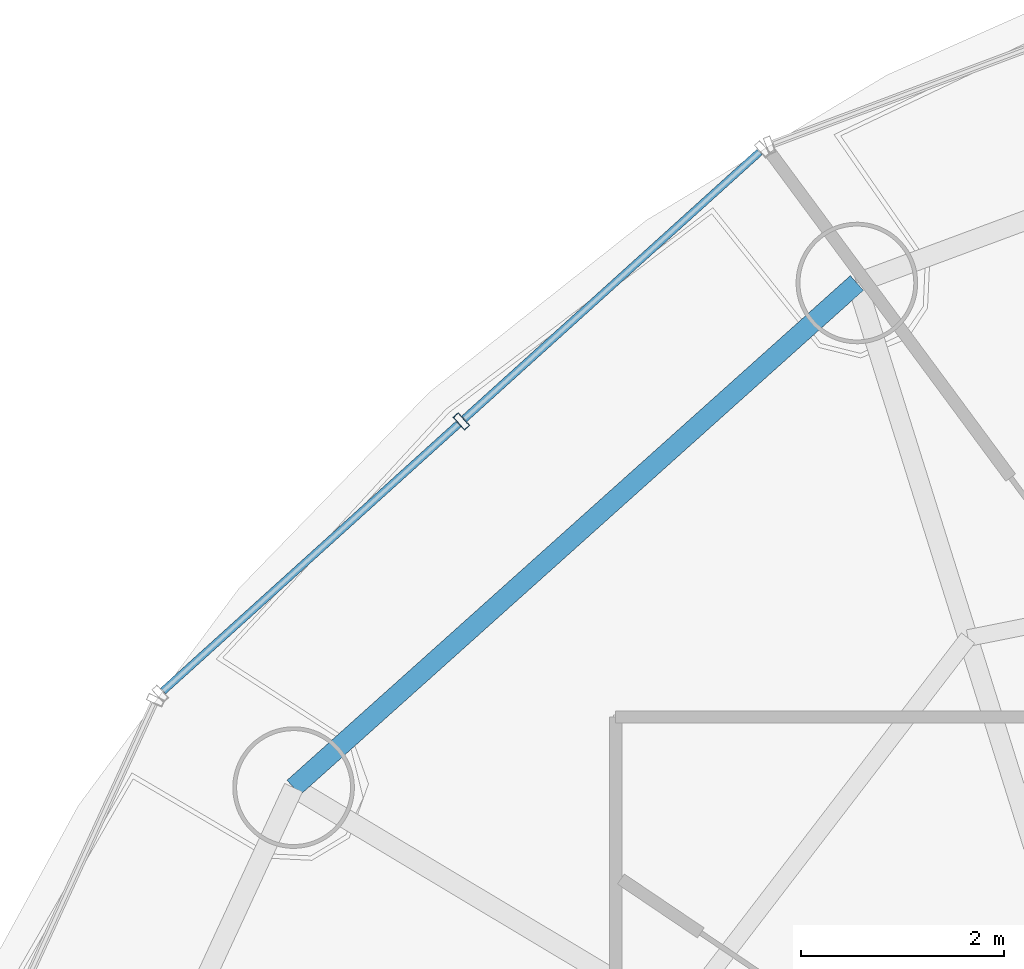
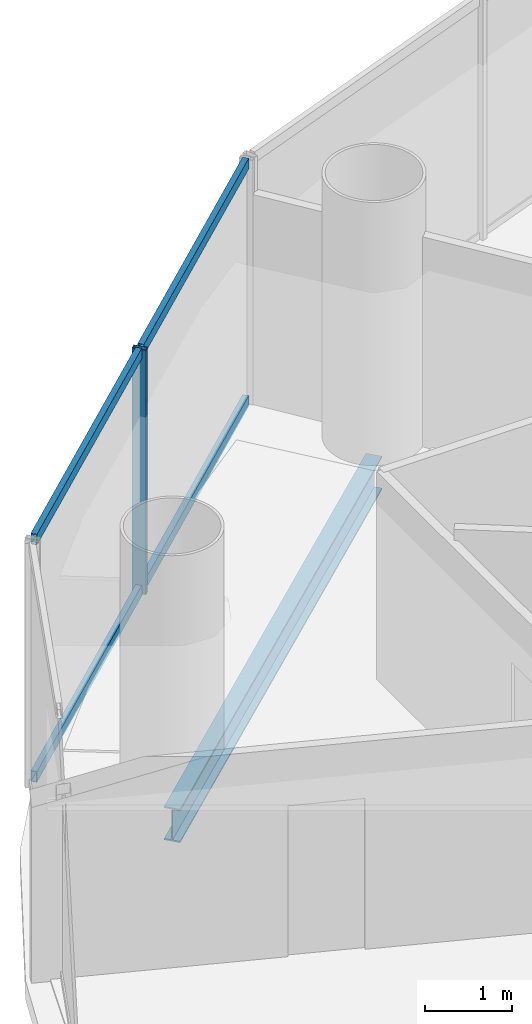
# One storey, part 14 of 26: 5 members, 1 beam, 1 element without a shape of its own.
"""IFC4 building model written with IfcOpenShell, lengths in metres."""

import ifcopenshell
import ifcopenshell.guid

model = None  # the IFC model being written
_history = None  # IfcOwnerHistory: only IFC2X3 demands one
_inside = {}  # id of a spatial element -> (the spatial element, [elements in it])
_under = {}  # id of a project, library or spatial element -> (it, [spatial elements below it])
_declared = {}  # id of a project -> (the project, [libraries it declares])
_typed = {}  # id of a type object -> (the type object, [elements of that type])
_made_of = {}  # id of a material, layer set ... -> (it, [elements and type objects made of it])


def new_model(schema):
    """Start an empty IFC model of exactly this schema.

    Asked for "IFC4X3", IfcOpenShell would pick the latest addendum, in which some entities
    have other attributes; the version numbers below select the first issue.
    IFC2X3 requires an IfcOwnerHistory on every rooted entity: one is made here for all.
    """
    global model, _history
    if schema == "IFC4X3":
        model = ifcopenshell.file(schema_version=(4, 3, 0, 0))
    else:
        model = ifcopenshell.file(schema=schema)
    _inside.clear()
    _under.clear()
    _declared.clear()
    _typed.clear()
    _made_of.clear()
    _history = None
    if model.schema == "IFC2X3":
        org = make("IfcOrganization", Name="unknown")
        user = make(
            "IfcPersonAndOrganization",
            ThePerson=make("IfcPerson", FamilyName="unknown"),
            TheOrganization=org,
        )
        app = make(
            "IfcApplication",
            ApplicationDeveloper=org,
            Version="unknown",
            ApplicationFullName="unknown",
            ApplicationIdentifier="unknown",
        )
        _history = make(
            "IfcOwnerHistory",
            OwningUser=user,
            OwningApplication=app,
            ChangeAction="ADDED",
            CreationDate=0,
        )
    return model


def make(cls, **values):
    """One entity of the class cls with the attributes given. An attribute that is None is left unset."""
    return model.create_entity(
        cls, **{name: value for name, value in values.items() if value is not None}
    )


def rooted(cls, **values):
    """An entity with a GlobalId (a new one), such as an element, a storey or a relation."""
    return make(cls, GlobalId=ifcopenshell.guid.new(), OwnerHistory=_history, **values)


def si_unit(unit_type, name, prefix=None):
    """IfcSIUnit, for example si_unit("LENGTHUNIT", "METRE", prefix="MILLI")."""
    return make("IfcSIUnit", UnitType=unit_type, Prefix=prefix, Name=name)


def assignment(units):
    """IfcUnitAssignment: the units of a project."""
    return None if units is None else make("IfcUnitAssignment", Units=units)


def point(xyz):
    """IfcCartesianPoint."""
    return None if xyz is None else make("IfcCartesianPoint", Coordinates=xyz)


def direction(xyz):
    """IfcDirection."""
    return None if xyz is None else make("IfcDirection", DirectionRatios=xyz)


def frame(location, z_axis=None, x_axis=None):
    """IfcAxis2Placement3D, a coordinate frame: its origin and axes. An axis left out is left unset."""
    return make(
        "IfcAxis2Placement3D",
        Location=point(location),
        Axis=direction(z_axis),
        RefDirection=direction(x_axis),
    )


def frame_2d(location, x_axis=None):
    """IfcAxis2Placement2D, a coordinate frame in the plane: its origin and x axis."""
    return make(
        "IfcAxis2Placement2D", Location=point(location), RefDirection=direction(x_axis)
    )


def origin():
    """The frame at (0, 0, 0) with its axes left unset."""
    return frame((0.0, 0.0, 0.0))


def origin_2d():
    """The frame at (0, 0) in the plane with its x axis left unset."""
    return frame_2d((0.0, 0.0))


def place(relative_to, where):
    """IfcLocalPlacement: puts the frame where relative to a parent placement (None: the world)."""
    return make(
        "IfcLocalPlacement", PlacementRelTo=relative_to, RelativePlacement=where
    )


def context(
    kind, dimensions, precision=None, world=None, true_north=None, identifier=None
):
    """IfcGeometricRepresentationContext, for example the 3D "Model" context."""
    return make(
        "IfcGeometricRepresentationContext",
        ContextIdentifier=identifier,
        ContextType=kind,
        CoordinateSpaceDimension=dimensions,
        Precision=precision,
        WorldCoordinateSystem=world,
        TrueNorth=true_north,
    )


def subcontext(parent, identifier, kind, view, scale=None):
    """IfcGeometricRepresentationSubContext, for example "Body" below "Model"."""
    return make(
        "IfcGeometricRepresentationSubContext",
        ContextIdentifier=identifier,
        ContextType=kind,
        ParentContext=parent,
        TargetScale=scale,
        TargetView=view,
    )


def project(units=None, contexts=None):
    """IfcProject with its units and contexts."""
    return rooted(
        "IfcProject",
        Name="project",
        RepresentationContexts=contexts,
        UnitsInContext=assignment(units),
    )


def spatial(cls, under=None, at=None, **own):
    """A site, building, storey or space (cls), placed at a placement, below another one or the project."""
    s = rooted(cls, ObjectPlacement=at, **own)
    if under is not None:
        _under.setdefault(under.id(), (under, []))[1].append(s)
    return s


def profile(cls, at=None, kind="AREA", **sizes):
    """A parametric profile (cls). Its sizes go by their IFC names, for example OverallWidth=200.0."""
    return make(cls, ProfileType=kind, Position=at, **sizes)


def hollow_rectangle(**sizes):
    """IfcRectangleHollowProfileDef."""
    return profile("IfcRectangleHollowProfileDef", **sizes)


def i_section(**sizes):
    """IfcIShapeProfileDef."""
    return profile("IfcIShapeProfileDef", **sizes)


def extrude(swept, where, along, depth):
    """IfcExtrudedAreaSolid: the profile swept, set in the frame where, extruded along a direction by depth."""
    return make(
        "IfcExtrudedAreaSolid",
        SweptArea=swept,
        Position=where,
        ExtrudedDirection=direction(along),
        Depth=depth,
    )


def shape(context_of_items, identifier, shape_type, items):
    """IfcShapeRepresentation: the items that make up one representation, for example the "Body"."""
    return make(
        "IfcShapeRepresentation",
        ContextOfItems=context_of_items,
        RepresentationIdentifier=identifier,
        RepresentationType=shape_type,
        Items=items,
    )


def source(mapping_origin, context_of_items, identifier, shape_type, items):
    """IfcRepresentationMap: a shape defined once, which mapped items show again and again."""
    return make(
        "IfcRepresentationMap",
        MappingOrigin=mapping_origin,
        MappedRepresentation=shape(context_of_items, identifier, shape_type, items),
    )


def transform(
    local_origin,
    x_axis=None,
    y_axis=None,
    z_axis=None,
    scale=None,
    scale2=None,
    scale3=None,
    uniform=True,
):
    """IfcCartesianTransformationOperator3D, or its non-uniform kind. x_axis, y_axis, z_axis: its Axis1, 2, 3."""
    if uniform:
        return make(
            "IfcCartesianTransformationOperator3D",
            Axis1=direction(x_axis),
            Axis2=direction(y_axis),
            LocalOrigin=point(local_origin),
            Scale=scale,
            Axis3=direction(z_axis),
        )
    return make(
        "IfcCartesianTransformationOperator3DnonUniform",
        Axis1=direction(x_axis),
        Axis2=direction(y_axis),
        LocalOrigin=point(local_origin),
        Scale=scale,
        Axis3=direction(z_axis),
        Scale2=scale2,
        Scale3=scale3,
    )


def mapped(mapping_source, mapping_target):
    """IfcMappedItem: shows the shape of a source again, moved by a transform."""
    return make(
        "IfcMappedItem", MappingSource=mapping_source, MappingTarget=mapping_target
    )


def material(Name=None, Category=None):
    """IfcMaterial."""
    return make("IfcMaterial", Name=Name, Category=Category)


def material_profile(
    of_material, cross_section, Name=None, Category=None, Priority=None
):
    """IfcMaterialProfile: a cross section and its material."""
    return make(
        "IfcMaterialProfile",
        Name=Name,
        Material=of_material,
        Profile=cross_section,
        Priority=Priority,
        Category=Category,
    )


def profile_set(profiles, Name=None, composite=None):
    """IfcMaterialProfileSet."""
    return make(
        "IfcMaterialProfileSet",
        Name=Name,
        MaterialProfiles=profiles,
        CompositeProfile=composite,
    )


def made_of(thing, what):
    """Note that an element or type object is made of a material, layer set ...; save() writes the relation."""
    if what is not None:
        _made_of.setdefault(what.id(), (what, []))[1].append(thing)
    return thing


def type_object(cls, material=None, **own):
    """A type object (cls), such as IfcWallType, which elements share."""
    return made_of(rooted(cls, **own), material)


def element(
    cls,
    number,
    at=None,
    inside=None,
    cuts=None,
    type_object=None,
    material=None,
    context=None,
    identifier="Body",
    shape_type=None,
    held_by="IfcProductDefinitionShape",
    body=None,
    shapes=None,
    **own,
):
    """One element of the class cls, such as IfcWall. Its Tag is "e" and its number.

    at: its placement. inside: the storey or other place that contains it. cuts: it is an
    opening in that element (IfcRelVoidsElement). A single representation is given by context,
    identifier, shape_type and body (its items); several are given by shapes. held_by: the class
    of the entity that holds the representations. save() writes the other relations.
    """
    e = rooted(cls, Tag="e%d" % number, ObjectPlacement=at, **own)
    if body is not None:
        shapes = [shape(context, identifier, shape_type, body)]
    if shapes is not None:
        e.Representation = make(held_by, Representations=shapes)
    if inside is not None:
        _inside.setdefault(inside.id(), (inside, []))[1].append(e)
    if cuts is not None:
        rooted(
            "IfcRelVoidsElement", RelatingBuildingElement=cuts, RelatedOpeningElement=e
        )
    if type_object is not None:
        _typed.setdefault(type_object.id(), (type_object, []))[1].append(e)
    return made_of(e, material)


def aggregate(whole, parts):
    """IfcRelAggregates: a whole, such as a stair, and the parts it consists of."""
    return rooted("IfcRelAggregates", RelatingObject=whole, RelatedObjects=parts)


def save(model, path):
    """Write the relations noted so far, then the file.

    IfcRelAggregates (storeys below a building ...), IfcRelContainedInSpatialStructure (elements
    in a storey), IfcRelDefinesByType, IfcRelAssociatesMaterial and IfcRelDeclares: one each for
    every whole, place, type object, material and project.
    """
    for whole, parts in _under.values():
        aggregate(whole, parts)
    for where, things in _inside.values():
        rooted(
            "IfcRelContainedInSpatialStructure",
            RelatedElements=things,
            RelatingStructure=where,
        )
    for kind, things in _typed.values():
        rooted("IfcRelDefinesByType", RelatedObjects=things, RelatingType=kind)
    for what, things in _made_of.values():
        rooted("IfcRelAssociatesMaterial", RelatedObjects=things, RelatingMaterial=what)
    for by, libraries in _declared.values():
        rooted("IfcRelDeclares", RelatingContext=by, RelatedDefinitions=libraries)
    model.write(path)


model = new_model("IFC4")

# Units and contexts
model_context = context("Model", 3, precision=1e-05, world=origin(), true_north=direction((-0.2419218956, 0.970295726276)))
body_context = subcontext(model_context, "Body", "Model", "MODEL_VIEW")
ifc_project = project(units=[si_unit("LENGTHUNIT", "METRE"), si_unit("AREAUNIT", "SQUARE_METRE"), si_unit("VOLUMEUNIT", "CUBIC_METRE"), si_unit("PLANEANGLEUNIT", "RADIAN"), si_unit("MASSUNIT", "GRAM", prefix="KILO")], contexts=[model_context])

# Site, building, storey
site_placement = place(None, origin())
site = spatial("IfcSite", under=ifc_project, at=site_placement, CompositionType="ELEMENT")
building_placement = place(site_placement, origin())
building = spatial("IfcBuilding", under=site, at=building_placement, Name="Cobrevalo Terracotta Tower", CompositionType="ELEMENT")
storey_placement = place(building_placement, frame((0.0, 0.0, 202.300048828125)))
storey = spatial("IfcBuildingStorey", under=building, at=storey_placement, Name="L53", CompositionType="ELEMENT", Elevation=202.300048828125)

# Beam
ifc_material_1 = material(Name="Steel S355", Category="steel")
ifc_material_profile_1 = material_profile(ifc_material_1, i_section(OverallWidth=0.194091796875, OverallDepth=0.468994140625, WebThickness=0.011474609375, FlangeThickness=0.0205078125, at=origin_2d()), Name="W 460x106")
ifc_profile_set_1 = profile_set([ifc_material_profile_1], Name="Steel S355")
beam_type = type_object("IfcBeamType", Name="Structural Spandrel W 460x106 (Steel S355)", PredefinedType="SPANDREL", material=ifc_profile_set_1)
beam_placement = place(storey_placement, frame((26.80517578125, 41.80810546875, -0.49951171875), z_axis=(-0.744851930997, -0.667229796165, 0.0), x_axis=(0.667229796165, -0.744851930997, 0.0)))
element("IfcBeam", 1, at=beam_placement, inside=storey, type_object=beam_type, Name="L53 perimeter ring spandrel 06", PredefinedType="SPANDREL", context=body_context, shape_type="SweptSolid", body=[
    extrude(i_section(OverallWidth=0.194091796875, OverallDepth=0.468994140625, WebThickness=0.011474609375, FlangeThickness=0.0205078125, at=origin_2d()), origin(), (0.0, 0.0, 1.0), 7.463623046875),
])

# Curtain wall, members
ifc_material_2 = material(Name="Anodized aluminium", Category="aluminium")
curtain_wall_type = type_object("IfcCurtainWallType", Name="Mid-tower high-wind unitised curtain wall CW-U2", PredefinedType="NOTDEFINED", material=ifc_material_2)
curtain_wall_placement = place(storey_placement, origin())
curtain_wall = element("IfcCurtainWall", 2, at=curtain_wall_placement, inside=storey, type_object=curtain_wall_type, Name="L53 curtain wall CW-L53-S06", PredefinedType="NOTDEFINED")
ifc_material_profile_2 = material_profile(ifc_material_2, hollow_rectangle(XDim=0.074951171875, YDim=0.14990234375, WallThickness=0.00439453125, at=origin_2d()), Name="CWT 75x150")
ifc_profile_set_2 = profile_set([ifc_material_profile_2], Name="Anodized aluminium")
member_type_1 = type_object("IfcMemberType", Name="Tower unitised aluminium transom 75x150", PredefinedType="USERDEFINED", material=ifc_profile_set_2)
shared_shape_1 = source(origin(), body_context, "Body", "SweptSolid", [
    extrude(hollow_rectangle(XDim=0.074951171875, YDim=0.14990234375, WallThickness=0.00439453125, at=origin_2d()), origin(), (0.0, 0.0, 1.0), 3.927490234375),
])
member_1_placement = place(storey_placement, frame((22.872314453125, 40.414794921875, 0.050048828125), z_axis=(-0.741975952623, -0.670426495396, 0.0), x_axis=(0.670426495396, -0.741975952623, 0.0)))
member_1 = element("IfcMember", 3, at=member_1_placement, type_object=member_type_1, Name="CW-L53-S06 transom B02-T1", ObjectType="TRANSOM", PredefinedType="USERDEFINED", context=body_context, shape_type="MappedRepresentation", body=[
    mapped(shared_shape_1, transform((0.0, 0.0, 0.0), scale=1.0)),
])
member_2_placement = place(storey_placement, frame((22.872314453125, 40.414794921875, 3.385009765625), z_axis=(-0.741975952623, -0.670426495396, 0.0), x_axis=(0.670426495396, -0.741975952623, 0.0)))
member_2 = element("IfcMember", 4, at=member_2_placement, type_object=member_type_1, Name="CW-L53-S06 transom B02-T2", ObjectType="TRANSOM", PredefinedType="USERDEFINED", context=body_context, shape_type="MappedRepresentation", body=[
    mapped(shared_shape_1, transform((0.0, 0.0, 0.0), scale=1.0)),
])
shared_shape_2 = source(origin(), body_context, "Body", "SweptSolid", [
    extrude(hollow_rectangle(XDim=0.074951171875, YDim=0.14990234375, WallThickness=0.00439453125, at=origin_2d()), origin(), (0.0, 0.0, 1.0), 3.927734375),
])
member_3_placement = place(storey_placement, frame((25.845947265625, 43.101318359375, 0.050048828125), z_axis=(-0.742003891138, -0.670395573923, 0.0), x_axis=(0.670395573923, -0.742003891138, 0.0)))
member_3 = element("IfcMember", 5, at=member_3_placement, type_object=member_type_1, Name="CW-L53-S06 transom B01-T1", ObjectType="TRANSOM", PredefinedType="USERDEFINED", context=body_context, shape_type="MappedRepresentation", body=[
    mapped(shared_shape_2, transform((0.0, 0.0, 0.0), scale=1.0)),
])
member_4_placement = place(storey_placement, frame((25.845947265625, 43.101318359375, 3.385009765625), z_axis=(-0.742003891138, -0.670395573923, 0.0), x_axis=(0.670395573923, -0.742003891138, 0.0)))
member_4 = element("IfcMember", 6, at=member_4_placement, type_object=member_type_1, Name="CW-L53-S06 transom B01-T2", ObjectType="TRANSOM", PredefinedType="USERDEFINED", context=body_context, shape_type="MappedRepresentation", body=[
    mapped(shared_shape_2, transform((0.0, 0.0, 0.0), scale=1.0)),
])
ifc_material_profile_3 = material_profile(ifc_material_2, hollow_rectangle(XDim=0.070068359375, YDim=0.169921875, WallThickness=0.00439453125, at=origin_2d()), Name="CWM 70x170")
ifc_profile_set_3 = profile_set([ifc_material_profile_3], Name="Anodized aluminium")
member_type_2 = type_object("IfcMemberType", Name="Upper tower unitised mullion 70x170", PredefinedType="MULLION", material=ifc_profile_set_3)
shared_shape_3 = source(origin(), body_context, "Body", "SweptSolid", [
    extrude(hollow_rectangle(XDim=0.070068359375, YDim=0.169921875, WallThickness=0.00439453125, at=origin_2d()), origin(), (0.0, 0.0, 1.0), 3.43505859375),
])
member_5_placement = place(storey_placement, frame((22.902099609375, 40.441650390625, 0.0), z_axis=(0.0, 0.0, 1.0), x_axis=(-0.741987542015, -0.670413668935, 0.0)))
member_5 = element("IfcMember", 7, at=member_5_placement, type_object=member_type_2, Name="CW-L53-S06 vertical mullion 02", PredefinedType="MULLION", context=body_context, shape_type="MappedRepresentation", body=[
    mapped(shared_shape_3, transform((0.0, 0.0, 0.0), scale=1.0)),
])
aggregate(curtain_wall, [member_5, member_3, member_4, member_1, member_2])

save(model, "model.ifc")
